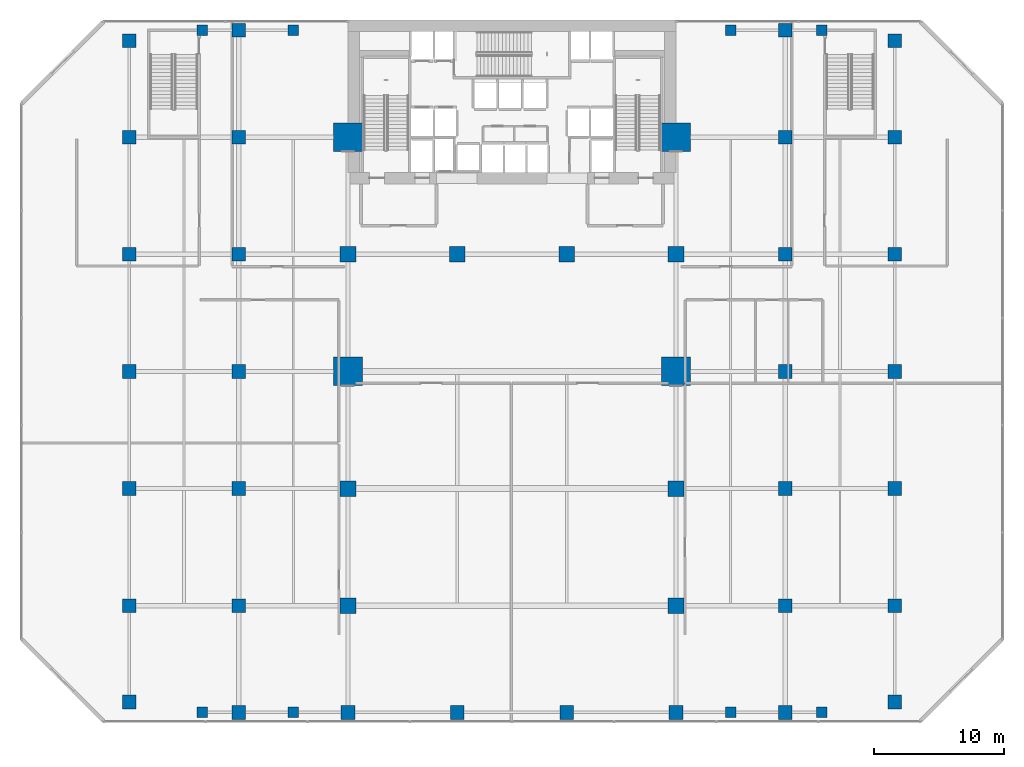
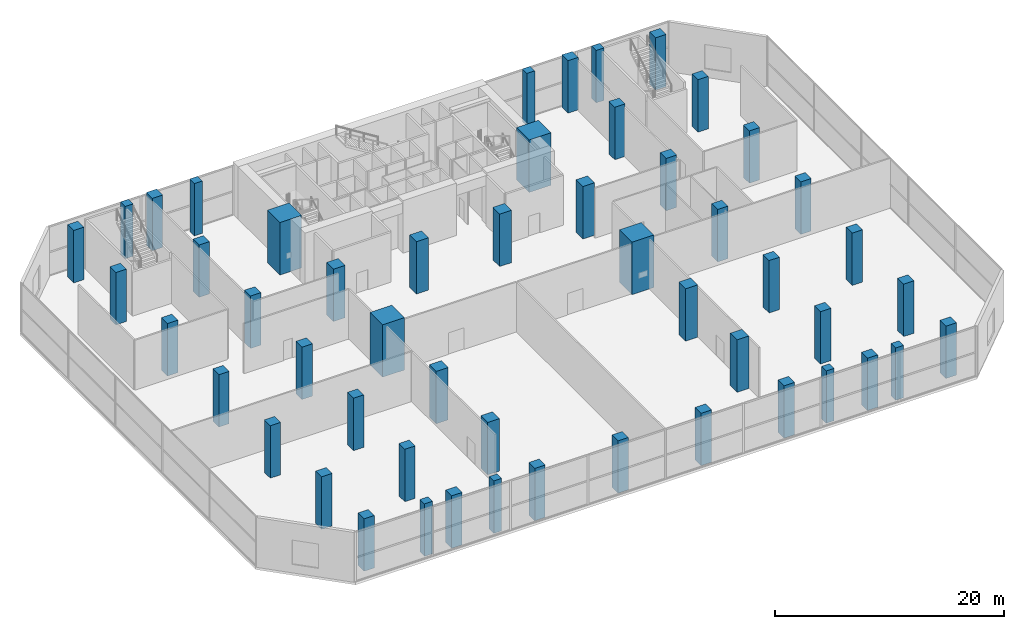
# One storey, part 1 of 40: 52 columns.
"""IFC4 building model written with IfcOpenShell, lengths in metres."""

from ifc_helpers import new_model, si_unit, direction, frame, origin, origin_2d, place, context, subcontext, project, spatial, rectangle, extrude, material, material_profile, profile_set, type_object, element, save


model = new_model("IFC4")

# Units and contexts
model_context = context("Model", 3, precision=1e-05, world=origin(), true_north=direction((0.0, 1.0)))
body_context = subcontext(model_context, "Body", "Model", "MODEL_VIEW")
ifc_project = project(units=[si_unit("LENGTHUNIT", "METRE"), si_unit("AREAUNIT", "SQUARE_METRE"), si_unit("VOLUMEUNIT", "CUBIC_METRE"), si_unit("PLANEANGLEUNIT", "RADIAN"), si_unit("MASSUNIT", "GRAM", prefix="KILO")], contexts=[model_context])

# Site, building, storey
site_placement = place(None, origin())
site = spatial("IfcSite", under=ifc_project, at=site_placement, CompositionType="ELEMENT")
building_placement = place(site_placement, origin())
building = spatial("IfcBuilding", under=site, at=building_placement, Name="Maruvema Waterfront Hotel and Observation Tower", CompositionType="ELEMENT")
storey_placement = place(building_placement, frame((0.0, 0.0, 10.85009765625)))
storey = spatial("IfcBuildingStorey", under=building, at=storey_placement, Name="L02", CompositionType="ELEMENT", Elevation=10.85009765625)

# Columns
ifc_material_1 = material(Name="Concrete C80/95", Category="concrete")
ifc_material_profile_1 = material_profile(ifc_material_1, rectangle(XDim=2.199951171875, YDim=2.199951171875, at=origin_2d()), Name="MC2200x2200")
ifc_profile_set_1 = profile_set([ifc_material_profile_1], Name="Concrete C80/95")
column_type_1 = type_object("IfcColumnType", Name="Continuous Mega-Column MC2200x2200", PredefinedType="COLUMN", material=ifc_profile_set_1)
for number, where, z_axis, x_axis, name in (
    (1, (25.199951171875, 27.0, 0.0), (0.0, 0.0, 1.0), (1.0, 0.0, 0.0), "L02 Continuous Mega-Column MC-01"),
    (2, (50.39990234375, 27.0, 0.0), (0.0, 0.0, 1.0), (1.0, 0.0, 0.0), "L02 Continuous Mega-Column MC-02"),
    (3, (25.199951171875, 45.0, 0.0), (0.0, 0.0, 1.0), (1.0, 0.0, 0.0), "L02 Continuous Mega-Column MC-03"),
    (4, (50.39990234375, 45.0, 0.0), (0.0, 0.0, 1.0), (1.0, 0.0, 0.0), "L02 Continuous Mega-Column MC-04"),
):
    element("IfcColumn", number, at=place(storey_placement, frame(where, z_axis=z_axis, x_axis=x_axis)), inside=storey, type_object=column_type_1, Name=name, PredefinedType="COLUMN", context=body_context, shape_type="SweptSolid", body=[
        extrude(rectangle(XDim=2.199951171875, YDim=2.199951171875, at=origin_2d()), origin(), (0.0, 0.0, 1.0), 5.599853515625),
    ])
ifc_material_2 = material(Name="Concrete C60/75", Category="concrete")
ifc_material_profile_2 = material_profile(ifc_material_2, rectangle(XDim=1.050048828125, YDim=1.050048828125, at=origin_2d()), Name="RC1050x1050")
ifc_profile_set_2 = profile_set([ifc_material_profile_2], Name="Concrete C60/75")
column_type_2 = type_object("IfcColumnType", Name="Reinforced Concrete Column RC1050x1050", PredefinedType="COLUMN", material=ifc_profile_set_2)
for number, where, z_axis, x_axis, name in (
    (5, (16.800048828125, 9.0, 0.0), (0.0, 0.0, 1.0), (1.0, 0.0, 0.0), "L02 Column C-3Y9"),
    (6, (58.800048828125, 9.0, 0.0), (0.0, 0.0, 1.0), (1.0, 0.0, 0.0), "L02 Column C-8Y9"),
    (7, (16.800048828125, 18.0, 0.0), (0.0, 0.0, 1.0), (1.0, 0.0, 0.0), "L02 Column C-3Y18"),
    (8, (58.800048828125, 18.0, 0.0), (0.0, 0.0, 1.0), (1.0, 0.0, 0.0), "L02 Column C-8Y18"),
    (9, (16.800048828125, 27.0, 0.0), (0.0, 0.0, 1.0), (1.0, 0.0, 0.0), "L02 Column C-3Y27"),
    (10, (58.800048828125, 27.0, 0.0), (0.0, 0.0, 1.0), (1.0, 0.0, 0.0), "L02 Column C-8Y27"),
    (11, (16.800048828125, 36.0, 0.0), (0.0, 0.0, 1.0), (1.0, 0.0, 0.0), "L02 Column C-3Y36"),
    (12, (58.800048828125, 36.0, 0.0), (0.0, 0.0, 1.0), (1.0, 0.0, 0.0), "L02 Column C-8Y36"),
    (13, (16.800048828125, 45.0, 0.0), (0.0, 0.0, 1.0), (1.0, 0.0, 0.0), "L02 Column C-3Y45"),
    (14, (58.800048828125, 45.0, 0.0), (0.0, 0.0, 1.0), (1.0, 0.0, 0.0), "L02 Column C-8Y45"),
    (15, (8.39990234375, 1.60009765625, 0.0), (0.0, 0.0, 1.0), (1.0, 0.0, 0.0), "L02 Column C-2A"),
    (16, (67.199951171875, 1.60009765625, 0.0), (0.0, 0.0, 1.0), (1.0, 0.0, 0.0), "L02 Column C-9A"),
    (17, (8.39990234375, 9.0, 0.0), (0.0, 0.0, 1.0), (1.0, 0.0, 0.0), "L02 Column C-2B"),
    (18, (67.199951171875, 9.0, 0.0), (0.0, 0.0, 1.0), (1.0, 0.0, 0.0), "L02 Column C-9B"),
    (19, (8.39990234375, 18.0, 0.0), (0.0, 0.0, 1.0), (1.0, 0.0, 0.0), "L02 Column C-2C"),
    (20, (67.199951171875, 18.0, 0.0), (0.0, 0.0, 1.0), (1.0, 0.0, 0.0), "L02 Column C-9C"),
    (21, (8.39990234375, 27.0, 0.0), (0.0, 0.0, 1.0), (1.0, 0.0, 0.0), "L02 Column C-2D"),
    (22, (67.199951171875, 27.0, 0.0), (0.0, 0.0, 1.0), (1.0, 0.0, 0.0), "L02 Column C-9D"),
    (23, (8.39990234375, 36.0, 0.0), (0.0, 0.0, 1.0), (1.0, 0.0, 0.0), "L02 Column C-2E"),
    (24, (67.199951171875, 36.0, 0.0), (0.0, 0.0, 1.0), (1.0, 0.0, 0.0), "L02 Column C-9E"),
    (25, (8.39990234375, 45.0, 0.0), (0.0, 0.0, 1.0), (1.0, 0.0, 0.0), "L02 Column C-2F"),
    (26, (67.199951171875, 45.0, 0.0), (0.0, 0.0, 1.0), (1.0, 0.0, 0.0), "L02 Column C-9F"),
    (27, (8.39990234375, 52.39990234375, 0.0), (0.0, 0.0, 1.0), (1.0, 0.0, 0.0), "L02 Column C-2G"),
    (28, (67.199951171875, 52.39990234375, 0.0), (0.0, 0.0, 1.0), (1.0, 0.0, 0.0), "L02 Column C-9G"),
    (29, (16.800048828125, 0.800048828125, 0.0), (0.0, 0.0, 1.0), (1.0, 0.0, 0.0), "L02 Column C-3A"),
    (30, (25.199951171875, 0.800048828125, 0.0), (0.0, 0.0, 1.0), (1.0, 0.0, 0.0), "L02 Column C-4A"),
    (31, (33.60009765625, 0.800048828125, 0.0), (0.0, 0.0, 1.0), (1.0, 0.0, 0.0), "L02 Column C-5A"),
    (32, (42.0, 0.800048828125, 0.0), (0.0, 0.0, 1.0), (1.0, 0.0, 0.0), "L02 Column C-6A"),
    (33, (50.39990234375, 0.800048828125, 0.0), (0.0, 0.0, 1.0), (1.0, 0.0, 0.0), "L02 Column C-7A"),
    (34, (58.800048828125, 0.800048828125, 0.0), (0.0, 0.0, 1.0), (1.0, 0.0, 0.0), "L02 Column C-8A"),
    (35, (16.800048828125, 53.199951171875, 0.0), (0.0, 0.0, 1.0), (1.0, 0.0, 0.0), "L02 Column C-3G"),
    (36, (58.800048828125, 53.199951171875, 0.0), (0.0, 0.0, 1.0), (1.0, 0.0, 0.0), "L02 Column C-8G"),
):
    element("IfcColumn", number, at=place(storey_placement, frame(where, z_axis=z_axis, x_axis=x_axis)), inside=storey, type_object=column_type_2, Name=name, PredefinedType="COLUMN", context=body_context, shape_type="SweptSolid", body=[
        extrude(rectangle(XDim=1.050048828125, YDim=1.050048828125, at=origin_2d()), origin(), (0.0, 0.0, 1.0), 5.599853515625),
    ])
ifc_material_3 = material(Name="Concrete C60/75", Category="concrete")
ifc_material_profile_3 = material_profile(ifc_material_3, rectangle(XDim=1.199951171875, YDim=1.199951171875, at=origin_2d()), Name="RC1200x1200")
ifc_profile_set_3 = profile_set([ifc_material_profile_3], Name="Concrete C60/75")
column_type_3 = type_object("IfcColumnType", Name="Reinforced Concrete Column RC1200x1200", PredefinedType="COLUMN", material=ifc_profile_set_3)
for number, where, z_axis, x_axis, name in (
    (37, (25.199951171875, 36.0, 0.0), (0.0, 0.0, 1.0), (1.0, 0.0, 0.0), "L02 Column C-4E"),
    (38, (33.60009765625, 36.0, 0.0), (0.0, 0.0, 1.0), (1.0, 0.0, 0.0), "L02 Column C-5E"),
    (39, (42.0, 36.0, 0.0), (0.0, 0.0, 1.0), (1.0, 0.0, 0.0), "L02 Column C-6E"),
    (40, (50.39990234375, 36.0, 0.0), (0.0, 0.0, 1.0), (1.0, 0.0, 0.0), "L02 Column C-7E"),
    (41, (25.199951171875, 18.0, 0.0), (0.0, 0.0, 1.0), (1.0, 0.0, 0.0), "L02 Column C-4C"),
    (42, (50.39990234375, 18.0, 0.0), (0.0, 0.0, 1.0), (1.0, 0.0, 0.0), "L02 Column C-7C"),
    (43, (25.199951171875, 9.0, 0.0), (0.0, 0.0, 1.0), (1.0, 0.0, 0.0), "L02 Column C-4B"),
    (44, (50.39990234375, 9.0, 0.0), (0.0, 0.0, 1.0), (1.0, 0.0, 0.0), "L02 Column C-7B"),
):
    element("IfcColumn", number, at=place(storey_placement, frame(where, z_axis=z_axis, x_axis=x_axis)), inside=storey, type_object=column_type_3, Name=name, PredefinedType="COLUMN", context=body_context, shape_type="SweptSolid", body=[
        extrude(rectangle(XDim=1.199951171875, YDim=1.199951171875, at=origin_2d()), origin(), (0.0, 0.0, 1.0), 5.599853515625),
    ])
ifc_material_4 = material(Name="Concrete C60/75", Category="concrete")
ifc_material_profile_4 = material_profile(ifc_material_4, rectangle(XDim=0.800048828125, YDim=0.800048828125, at=origin_2d()), Name="RC800x800")
ifc_profile_set_4 = profile_set([ifc_material_profile_4], Name="Concrete C60/75")
column_type_4 = type_object("IfcColumnType", Name="Waterfront Colonnade Pilaster RC800x800", PredefinedType="PILASTER", material=ifc_profile_set_4)
for number, where, z_axis, x_axis, name in (
    (45, (14.0, 0.800048828125, 0.0), (0.0, 0.0, 1.0), (1.0, 0.0, 0.0), "L02 Column PL-S1"),
    (46, (14.0, 53.199951171875, 0.0), (0.0, 0.0, 1.0), (1.0, 0.0, 0.0), "L02 Column PL-N1"),
    (47, (21.0, 0.800048828125, 0.0), (0.0, 0.0, 1.0), (1.0, 0.0, 0.0), "L02 Column PL-S2"),
    (48, (21.0, 53.199951171875, 0.0), (0.0, 0.0, 1.0), (1.0, 0.0, 0.0), "L02 Column PL-N2"),
    (49, (54.60009765625, 0.800048828125, 0.0), (0.0, 0.0, 1.0), (1.0, 0.0, 0.0), "L02 Column PL-S3"),
    (50, (54.60009765625, 53.199951171875, 0.0), (0.0, 0.0, 1.0), (1.0, 0.0, 0.0), "L02 Column PL-N3"),
    (51, (61.60009765625, 0.800048828125, 0.0), (0.0, 0.0, 1.0), (1.0, 0.0, 0.0), "L02 Column PL-S4"),
    (52, (61.60009765625, 53.199951171875, 0.0), (0.0, 0.0, 1.0), (1.0, 0.0, 0.0), "L02 Column PL-N4"),
):
    element("IfcColumn", number, at=place(storey_placement, frame(where, z_axis=z_axis, x_axis=x_axis)), inside=storey, type_object=column_type_4, Name=name, PredefinedType="PILASTER", context=body_context, shape_type="SweptSolid", body=[
        extrude(rectangle(XDim=0.800048828125, YDim=0.800048828125, at=origin_2d()), origin(), (0.0, 0.0, 1.0), 5.599853515625),
    ])

save(model, "model.ifc")
